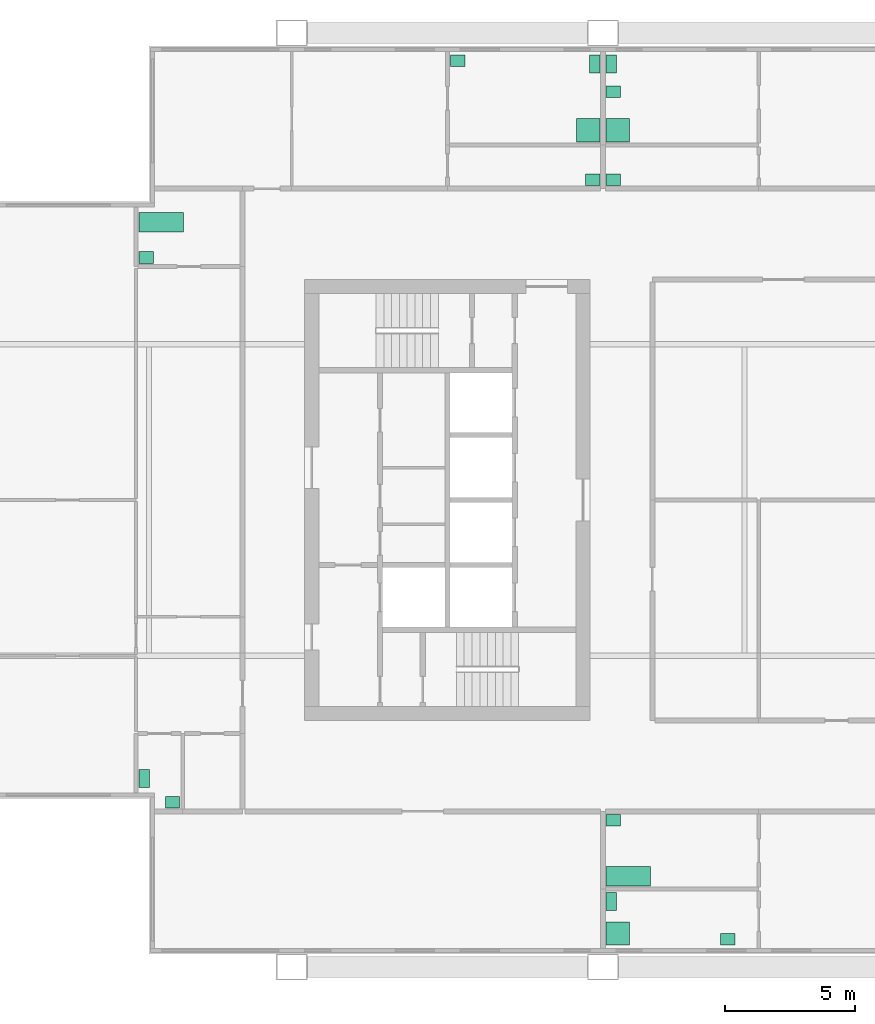
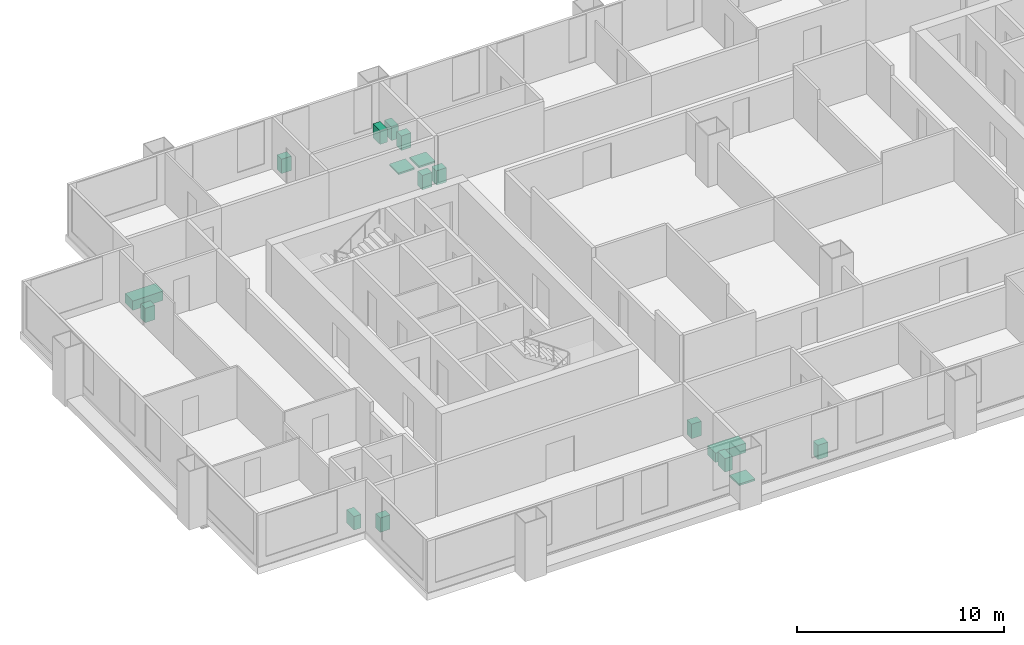
# One storey, part 9 of 9: 17 sanitary terminals.
"""IFC4 building model written with IfcOpenShell, lengths in metres."""

from ifc_helpers import new_model, si_unit, direction, frame, origin, origin_2d, place, context, subcontext, project, spatial, rectangle, extrude, material, type_object, element, save


model = new_model("IFC4")

# Units and contexts
model_context = context("Model", 3, precision=1e-05, world=origin(), true_north=direction((0.0, 1.0)))
body_context = subcontext(model_context, "Body", "Model", "MODEL_VIEW")
ifc_project = project(units=[si_unit("LENGTHUNIT", "METRE"), si_unit("AREAUNIT", "SQUARE_METRE"), si_unit("VOLUMEUNIT", "CUBIC_METRE"), si_unit("PLANEANGLEUNIT", "RADIAN"), si_unit("MASSUNIT", "GRAM", prefix="KILO")], contexts=[model_context])

# Site, building, storey
site_placement = place(None, origin())
site = spatial("IfcSite", under=ifc_project, at=site_placement, CompositionType="ELEMENT")
building_placement = place(site_placement, origin())
building = spatial("IfcBuilding", under=site, at=building_placement, Name="Kitamizu Gate Tower and Museum", CompositionType="ELEMENT")
storey_placement = place(building_placement, frame((0.0, 0.0, 206.550048828125)))
storey = spatial("IfcBuildingStorey", under=building, at=storey_placement, Name="L55", CompositionType="ELEMENT", Elevation=206.550048828125)

# Sanitary terminals
ifc_material_1 = material(Name="Acrylic")
sanitary_terminal_type_1 = type_object("IfcSanitaryTerminalType", Name="Bath", PredefinedType="BATH", material=ifc_material_1)
for number, where, z_axis, x_axis, name in (
    (1, (24.969970703125, 15.4951171875, 0.0009765625), (0.0, 0.0, 1.0), (1.0, 0.0, 0.0), "Bath Bathroom 55A"),
    (2, (6.969970703125, 40.705078125, 0.0009765625), (0.0, 0.0, 1.0), (1.0, 0.0, 0.0), "Bath Bathroom 55D"),
):
    element("IfcSanitaryTerminal", number, at=place(storey_placement, frame(where, z_axis=z_axis, x_axis=x_axis)), inside=storey, type_object=sanitary_terminal_type_1, Name=name, PredefinedType="BATH", context=body_context, shape_type="SweptSolid", body=[
        extrude(rectangle(XDim=1.699951171875, YDim=0.75, at=origin_2d()), origin(), (0.0, 0.0, 1.0), 0.550048828125),
    ])
ifc_material_2 = material(Name="Acrylic")
sanitary_terminal_type_2 = type_object("IfcSanitaryTerminalType", Name="Shower tray", PredefinedType="SHOWER", material=ifc_material_2)
for number, where, z_axis, x_axis, name in (
    (3, (24.570068359375, 13.2900390625, 0.0009765625), (0.0, 0.0, 1.0), (1.0, 0.0, 0.0), "Shower tray En-suite bathroom and WC 55A"),
    (4, (23.429931640625, 44.25, 0.0009765625), (0.0, 0.0, 1.0), (1.0, 0.0, 0.0), "Shower tray En-suite bathroom and WC 55B"),
    (5, (24.570068359375, 44.25, 0.0009765625), (0.0, 0.0, 1.0), (1.0, 0.0, 0.0), "Shower tray En-suite bathroom and WC 55C"),
):
    element("IfcSanitaryTerminal", number, at=place(storey_placement, frame(where, z_axis=z_axis, x_axis=x_axis)), inside=storey, type_object=sanitary_terminal_type_2, Name=name, PredefinedType="SHOWER", context=body_context, shape_type="SweptSolid", body=[
        extrude(rectangle(XDim=0.89990234375, YDim=0.89990234375, at=origin_2d()), origin(), (0.0, 0.0, 1.0), 0.10009765625),
    ])
ifc_material_3 = material(Name="Vitreous china")
sanitary_terminal_type_3 = type_object("IfcSanitaryTerminalType", Name="Wash hand basin", PredefinedType="WASHHANDBASIN", material=ifc_material_3)
for number, where, z_axis, x_axis, name in (
    (6, (28.804931640625, 13.06494140625, 0.0009765625), (0.0, 0.0, 1.0), (1.0, 0.0, 0.0), "Wash hand basin En-suite bathroom and WC 55A"),
    (7, (24.39501953125, 17.655029296875, 0.0009765625), (0.0, 0.0, 1.0), (1.0, 0.0, 0.0), "Wash hand basin Bathroom 55A"),
    (8, (18.39501953125, 46.93505859375, 0.0009765625), (0.0, 0.0, 1.0), (1.0, 0.0, 0.0), "Wash hand basin En-suite bathroom and WC 55B"),
    (9, (23.60498046875, 42.344970703125, 0.0009765625), (0.0, 0.0, 1.0), (1.0, 0.0, 0.0), "Wash hand basin Wash room 55B"),
    (10, (24.39501953125, 45.735107421875, 0.0009765625), (0.0, 0.0, 1.0), (1.0, 0.0, 0.0), "Wash hand basin En-suite bathroom and WC 55C"),
    (11, (24.39501953125, 42.344970703125, 0.0009765625), (0.0, 0.0, 1.0), (1.0, 0.0, 0.0), "Wash hand basin Wash room 55C"),
    (12, (7.405029296875, 18.344970703125, 0.0009765625), (0.0, 0.0, 1.0), (1.0, 0.0, 0.0), "Wash hand basin WC 55D"),
    (13, (6.39501953125, 39.344970703125, 0.0009765625), (0.0, 0.0, 1.0), (1.0, 0.0, 0.0), "Wash hand basin Bathroom 55D"),
):
    element("IfcSanitaryTerminal", number, at=place(storey_placement, frame(where, z_axis=z_axis, x_axis=x_axis)), inside=storey, type_object=sanitary_terminal_type_3, Name=name, PredefinedType="WASHHANDBASIN", context=body_context, shape_type="SweptSolid", body=[
        extrude(rectangle(XDim=0.550048828125, YDim=0.449951171875, at=origin_2d()), origin(), (0.0, 0.0, 1.0), 0.85009765625),
    ])
ifc_material_4 = material(Name="Vitreous china")
sanitary_terminal_type_4 = type_object("IfcSanitaryTerminalType", Name="Water closet", PredefinedType="TOILETPAN", material=ifc_material_4)
for number, where, z_axis, x_axis, name in (
    (14, (24.320068359375, 14.530029296875, 0.0009765625), (0.0, 0.0, 1.0), (1.0, 0.0, 0.0), "Water closet En-suite bathroom and WC 55A"),
    (15, (23.679931640625, 46.81005859375, 0.0009765625), (0.0, 0.0, 1.0), (1.0, 0.0, 0.0), "Water closet En-suite bathroom and WC 55B"),
    (16, (24.320068359375, 46.81005859375, 0.0009765625), (0.0, 0.0, 1.0), (1.0, 0.0, 0.0), "Water closet En-suite bathroom and WC 55C"),
    (17, (6.320068359375, 19.27001953125, 0.0009765625), (0.0, 0.0, 1.0), (1.0, 0.0, 0.0), "Water closet WC 55D"),
):
    element("IfcSanitaryTerminal", number, at=place(storey_placement, frame(where, z_axis=z_axis, x_axis=x_axis)), inside=storey, type_object=sanitary_terminal_type_4, Name=name, PredefinedType="TOILETPAN", context=body_context, shape_type="SweptSolid", body=[
        extrude(rectangle(XDim=0.39990234375, YDim=0.699951171875, at=origin_2d()), origin(), (0.0, 0.0, 1.0), 0.800048828125),
    ])

save(model, "model.ifc")
